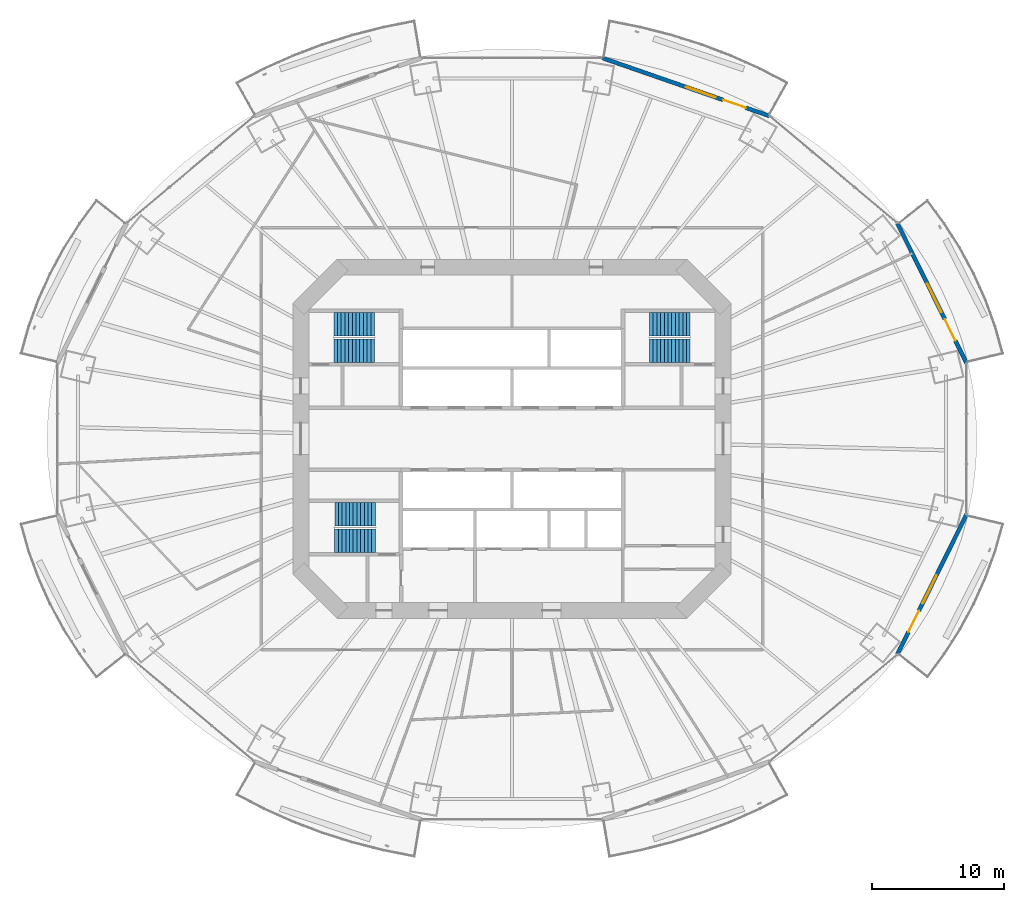
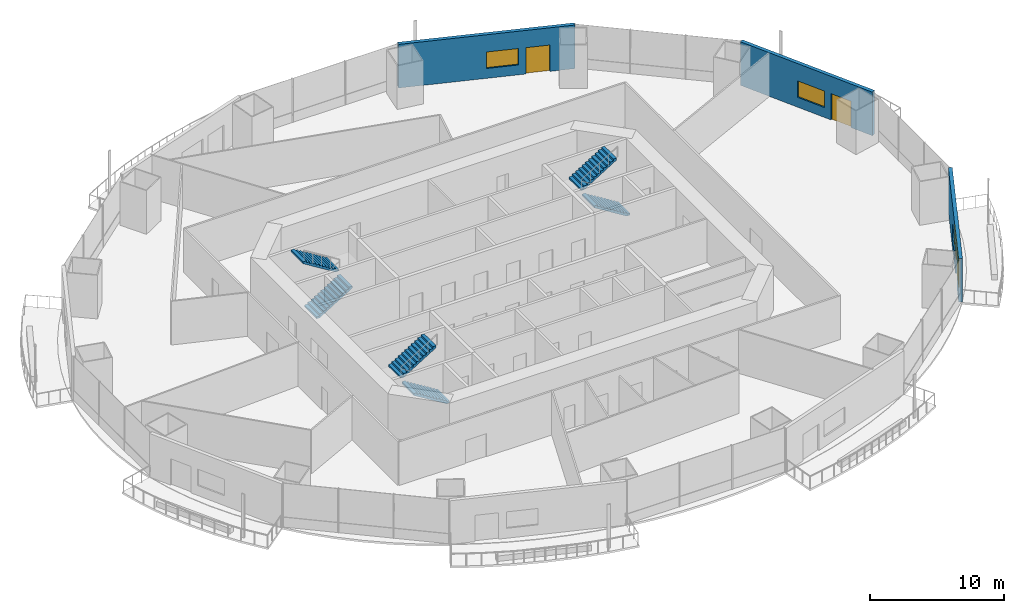
# One storey, part 16 of 22: 6 stair flights, 3 doors, 3 walls, 3 windows, 6 openings, 3 elements without a shape of their own.
"""IFC4 building model written with IfcOpenShell, lengths in metres."""

from ifc_helpers import new_model, si_unit, direction, frame, frame_2d, origin, place, context, subcontext, project, spatial, polyline, rectangle, outline, extrude, material, layer, layer_set, type_object, element, fill, aggregate, save


model = new_model("IFC4")

# Units and contexts
model_context = context("Model", 3, precision=1e-05, world=origin(), true_north=direction((0.0, 1.0)))
body_context = subcontext(model_context, "Body", "Model", "MODEL_VIEW")
ifc_project = project(units=[si_unit("LENGTHUNIT", "METRE"), si_unit("AREAUNIT", "SQUARE_METRE"), si_unit("VOLUMEUNIT", "CUBIC_METRE"), si_unit("PLANEANGLEUNIT", "RADIAN"), si_unit("MASSUNIT", "GRAM", prefix="KILO")], contexts=[model_context])

# Site, building, storey
site_placement = place(None, origin())
site = spatial("IfcSite", under=ifc_project, at=site_placement, CompositionType="ELEMENT")
building_placement = place(site_placement, origin())
building = spatial("IfcBuilding", under=site, at=building_placement, Name="Marenthal Gate Tower", CompositionType="ELEMENT")
storey_placement = place(building_placement, frame((0.0, 0.0, 82.800048828125)))
storey = spatial("IfcBuildingStorey", under=building, at=storey_placement, Name="L16", CompositionType="ELEMENT", Elevation=82.800048828125)

# Wall, openings, door, window
ifc_material_1 = material(Name="Terracotta cladding on insulated concrete-block backing", Category="masonry")
ifc_layer = layer(ifc_material_1, 0.300048828125)
ifc_layer_set = layer_set([ifc_layer], Name="Terracotta facade wall 300")
wall_type = type_object("IfcWallType", Name="Terracotta facade wall 300", PredefinedType="SOLIDWALL", material=ifc_layer_set)
wall_1_placement = place(storey_placement, frame((34.436279296875, 5.7392578125, 0.0), z_axis=(0.0, 0.0, 1.0), x_axis=(-0.443180520711, 0.896432387892, 0.0)))
wall_1 = element("IfcWall", 1, at=wall_1_placement, inside=storey, type_object=wall_type, Name="Terracotta facade wall L16 bay 1", PredefinedType="SOLIDWALL", context=body_context, shape_type="SweptSolid", body=[
    extrude(rectangle(XDim=11.82958984375, YDim=0.300048828125, at=frame_2d((5.914794921875, 0.0))), origin(), (0.0, 0.0, 1.0), 3.969970703125),
])
opening_1_placement = place(wall_1_placement, frame((1.89990234375, 0.0, 0.0)))
opening_1 = element("IfcOpeningElement", 2, at=opening_1_placement, cuts=wall_1, Name="Opening BD-L16-01", PredefinedType="OPENING", context=body_context, shape_type="SweptSolid", body=[
    extrude(rectangle(XDim=1.800048828125, YDim=2.39990234375, at=frame_2d((0.89990234375, 1.199951171875))), frame((0.0, 0.16015625, 0.0), z_axis=(0.0, -1.0, 0.0), x_axis=(1.0, 0.0, 0.0)), (0.0, 0.0, 1.0), 0.320068359375),
])
opening_2_placement = place(wall_1_placement, frame((4.300048828125, 0.0, 0.89990234375)))
opening_2 = element("IfcOpeningElement", 3, at=opening_2_placement, cuts=wall_1, Name="Opening WN1-L16-01", PredefinedType="OPENING", context=body_context, shape_type="SweptSolid", body=[
    extrude(rectangle(XDim=2.39990234375, YDim=1.5, at=frame_2d((1.199951171875, 0.75))), frame((0.0, 0.16015625, 0.0), z_axis=(0.0, -1.0, 0.0), x_axis=(1.0, 0.0, 0.0)), (0.0, 0.0, 1.0), 0.320068359375),
])
ifc_material_2 = material(Name="Aluminium and glass", Category="aluminium")
door_type = type_object("IfcDoorType", Name="Balcony door 1800x2400", OperationType="DOUBLE_DOOR_SINGLE_SWING", PredefinedType="DOOR", material=ifc_material_2)
door_1_placement = place(opening_1_placement, origin())
door_1 = element("IfcDoor", 4, at=door_1_placement, inside=storey, type_object=door_type, Name="Balcony door L16 bay 1", OperationType="SINGLE_SWING_LEFT", OverallHeight=2.39990234375, OverallWidth=1.800048828125, PredefinedType="DOOR", context=body_context, shape_type="SweptSolid", body=[
    extrude(rectangle(XDim=1.800048828125, YDim=2.39990234375, at=frame_2d((0.89990234375, 1.199951171875))), frame((0.0, 0.02490234375, 0.0), z_axis=(0.0, -1.0, 0.0), x_axis=(1.0, 0.0, 0.0)), (0.0, 0.0, 1.0), 0.050048828125),
])
fill(opening_1, door_1)
ifc_material_3 = material(Name="Aluminium and glass", Category="aluminium")
window_type = type_object("IfcWindowType", Name="Window 2400x1500", PartitioningType="TRIPLE_PANEL_VERTICAL", PredefinedType="WINDOW", material=ifc_material_3)
window_1_placement = place(opening_2_placement, origin())
window_1 = element("IfcWindow", 5, at=window_1_placement, inside=storey, type_object=window_type, Name="Window L16 bay 1", OverallHeight=1.5, OverallWidth=2.39990234375, PartitioningType="SINGLE_PANEL", PredefinedType="WINDOW", context=body_context, shape_type="SweptSolid", body=[
    extrude(rectangle(XDim=2.39990234375, YDim=1.5, at=frame_2d((1.199951171875, 0.75))), frame((0.0, 0.030029296875, 0.0), z_axis=(0.0, -1.0, 0.0), x_axis=(1.0, 0.0, 0.0)), (0.0, 0.0, 1.0), 0.06005859375),
])
fill(opening_2, window_1)

wall_2_placement = place(storey_placement, frame((19.506591796875, 24.460205078125, 0.0), z_axis=(0.0, 0.0, 1.0), x_axis=(-0.944722748464, 0.327870292241, 0.0)))
wall_2 = element("IfcWall", 6, at=wall_2_placement, inside=storey, type_object=wall_type, Name="Terracotta facade wall L16 bay 3", PredefinedType="SOLIDWALL", context=body_context, shape_type="SweptSolid", body=[
    extrude(rectangle(XDim=13.397216796875, YDim=0.300048828125, at=frame_2d((6.69873046875, 0.0))), origin(), (0.0, 0.0, 1.0), 3.969970703125),
])
opening_3_placement = place(wall_2_placement, frame((1.89990234375, 0.0, 0.0)))
opening_3 = element("IfcOpeningElement", 7, at=opening_3_placement, cuts=wall_2, Name="Opening BD-L16-03", PredefinedType="OPENING", context=body_context, shape_type="SweptSolid", body=[
    extrude(rectangle(XDim=1.800048828125, YDim=2.39990234375, at=frame_2d((0.89990234375, 1.199951171875))), frame((0.0, 0.16015625, 0.0), z_axis=(0.0, -1.0, 0.0), x_axis=(1.0, 0.0, 0.0)), (0.0, 0.0, 1.0), 0.320068359375),
])
opening_4_placement = place(wall_2_placement, frame((4.300048828125, 0.0, 0.89990234375)))
opening_4 = element("IfcOpeningElement", 8, at=opening_4_placement, cuts=wall_2, Name="Opening WN1-L16-03", PredefinedType="OPENING", context=body_context, shape_type="SweptSolid", body=[
    extrude(rectangle(XDim=2.39990234375, YDim=1.5, at=frame_2d((1.199951171875, 0.75))), frame((0.0, 0.16015625, 0.0), z_axis=(0.0, -1.0, 0.0), x_axis=(1.0, 0.0, 0.0)), (0.0, 0.0, 1.0), 0.320068359375),
])
door_2_placement = place(opening_3_placement, origin())
door_2 = element("IfcDoor", 9, at=door_2_placement, inside=storey, type_object=door_type, Name="Balcony door L16 bay 3", OperationType="SINGLE_SWING_LEFT", OverallHeight=2.39990234375, OverallWidth=1.800048828125, PredefinedType="DOOR", context=body_context, shape_type="SweptSolid", body=[
    extrude(rectangle(XDim=1.800048828125, YDim=2.39990234375, at=frame_2d((0.89990234375, 1.199951171875))), frame((0.0, 0.02490234375, 0.0), z_axis=(0.0, -1.0, 0.0), x_axis=(1.0, 0.0, 0.0)), (0.0, 0.0, 1.0), 0.050048828125),
])
fill(opening_3, door_2)
window_2_placement = place(opening_4_placement, origin())
window_2 = element("IfcWindow", 10, at=window_2_placement, inside=storey, type_object=window_type, Name="Window L16 bay 3", OverallHeight=1.5, OverallWidth=2.39990234375, PartitioningType="SINGLE_PANEL", PredefinedType="WINDOW", context=body_context, shape_type="SweptSolid", body=[
    extrude(rectangle(XDim=2.39990234375, YDim=1.5, at=frame_2d((1.199951171875, 0.75))), frame((0.0, 0.030029296875, 0.0), z_axis=(0.0, -1.0, 0.0), x_axis=(1.0, 0.0, 0.0)), (0.0, 0.0, 1.0), 0.06005859375),
])
fill(opening_4, window_2)

wall_3_placement = place(storey_placement, frame((29.193603515625, -16.34375, 0.0), z_axis=(0.0, 0.0, 1.0), x_axis=(0.443197104999, 0.896424188719, 0.0)))
wall_3 = element("IfcWall", 11, at=wall_3_placement, inside=storey, type_object=wall_type, Name="Terracotta facade wall L16 bay 15", PredefinedType="SOLIDWALL", context=body_context, shape_type="SweptSolid", body=[
    extrude(rectangle(XDim=11.829833984375, YDim=0.300048828125, at=frame_2d((5.9150390625, 0.0))), origin(), (0.0, 0.0, 1.0), 3.969970703125),
])
opening_5_placement = place(wall_3_placement, frame((1.89990234375, 0.0, 0.0)))
opening_5 = element("IfcOpeningElement", 12, at=opening_5_placement, cuts=wall_3, Name="Opening BD-L16-15", PredefinedType="OPENING", context=body_context, shape_type="SweptSolid", body=[
    extrude(rectangle(XDim=1.800048828125, YDim=2.39990234375, at=frame_2d((0.89990234375, 1.199951171875))), frame((0.0, 0.16015625, 0.0), z_axis=(0.0, -1.0, 0.0), x_axis=(1.0, 0.0, 0.0)), (0.0, 0.0, 1.0), 0.320068359375),
])
opening_6_placement = place(wall_3_placement, frame((4.300048828125, 0.0, 0.89990234375)))
opening_6 = element("IfcOpeningElement", 13, at=opening_6_placement, cuts=wall_3, Name="Opening WN1-L16-15", PredefinedType="OPENING", context=body_context, shape_type="SweptSolid", body=[
    extrude(rectangle(XDim=2.39990234375, YDim=1.5, at=frame_2d((1.199951171875, 0.75))), frame((0.0, 0.16015625, 0.0), z_axis=(0.0, -1.0, 0.0), x_axis=(1.0, 0.0, 0.0)), (0.0, 0.0, 1.0), 0.320068359375),
])
door_3_placement = place(opening_5_placement, origin())
door_3 = element("IfcDoor", 14, at=door_3_placement, inside=storey, type_object=door_type, Name="Balcony door L16 bay 15", OperationType="SINGLE_SWING_LEFT", OverallHeight=2.39990234375, OverallWidth=1.800048828125, PredefinedType="DOOR", context=body_context, shape_type="SweptSolid", body=[
    extrude(rectangle(XDim=1.800048828125, YDim=2.39990234375, at=frame_2d((0.89990234375, 1.199951171875))), frame((0.0, 0.02490234375, 0.0), z_axis=(0.0, -1.0, 0.0), x_axis=(1.0, 0.0, 0.0)), (0.0, 0.0, 1.0), 0.050048828125),
])
fill(opening_5, door_3)
window_3_placement = place(opening_6_placement, origin())
window_3 = element("IfcWindow", 15, at=window_3_placement, inside=storey, type_object=window_type, Name="Window L16 bay 15", OverallHeight=1.5, OverallWidth=2.39990234375, PartitioningType="SINGLE_PANEL", PredefinedType="WINDOW", context=body_context, shape_type="SweptSolid", body=[
    extrude(rectangle(XDim=2.39990234375, YDim=1.5, at=frame_2d((1.199951171875, 0.75))), frame((0.0, 0.030029296875, 0.0), z_axis=(0.0, -1.0, 0.0), x_axis=(1.0, 0.0, 0.0)), (0.0, 0.0, 1.0), 0.06005859375),
])
fill(opening_6, window_3)

# Stair, stair flights
ifc_material_4 = material(Name="Concrete 40 MPa", Category="concrete")
stair_type = type_object("IfcStairType", Name="Exit stair 1800", PredefinedType="HALF_TURN_STAIR", material=ifc_material_4)
stair_1_placement = place(storey_placement, origin())
stair_1 = element("IfcStair", 16, at=stair_1_placement, inside=storey, type_object=stair_type, Name="Stair ST1", PredefinedType="HALF_TURN_STAIR")
ifc_material_5 = material(Name="Concrete 40 MPa", Category="concrete")
stair_flight_type = type_object("IfcStairFlightType", Name="Stair flight 1800", PredefinedType="STRAIGHT", material=ifc_material_5)
stair_flight_1_placement = place(storey_placement, frame((-13.5, 6.675048828125, 0.0), z_axis=(0.0, 0.0, 1.0), x_axis=(1.0, 0.0, 0.0)))
stair_flight_1 = element("IfcStairFlight", 17, at=stair_flight_1_placement, type_object=stair_flight_type, Name="ST1 flight 1", NumberOfRisers=12, NumberOfTreads=11, PredefinedType="STRAIGHT", RiserHeight=0.172916667, TreadLength=0.28, context=body_context, shape_type="SweptSolid", body=[
    extrude(outline(polyline([(0.0, 0.0), (0.0, 0.1728515625), (0.280029296875, 0.1728515625), (0.280029296875, 0.345947265625), (0.56005859375, 0.345947265625), (0.56005859375, 0.518798828125), (0.840087890625, 0.518798828125), (0.840087890625, 0.691650390625), (1.1201171875, 0.691650390625), (1.1201171875, 0.864501953125), (1.39990234375, 0.864501953125), (1.39990234375, 1.03759765625), (1.679931640625, 1.03759765625), (1.679931640625, 1.21044921875), (1.9599609375, 1.21044921875), (1.9599609375, 1.38330078125), (2.239990234375, 1.38330078125), (2.239990234375, 1.55615234375), (2.52001953125, 1.55615234375), (2.52001953125, 1.729248046875), (2.800048828125, 1.729248046875), (2.800048828125, 1.902099609375), (3.080078125, 1.902099609375), (3.080078125, 2.074951171875), (3.080078125, 1.725830078125), (0.285400390625, 0.0), (0.0, 0.0)])), frame((0.0, 0.89990234375, 0.0), z_axis=(0.0, -1.0, 0.0), x_axis=(1.0, 0.0, 0.0)), (0.0, 0.0, 1.0), 1.800048828125),
])
stair_flight_2_placement = place(storey_placement, frame((-10.419921875, 8.675048828125, 2.074951171875), z_axis=(0.0, 0.0, 1.0), x_axis=(-1.0, 0.0, 0.0)))
stair_flight_2 = element("IfcStairFlight", 18, at=stair_flight_2_placement, type_object=stair_flight_type, Name="ST1 flight 2", NumberOfRisers=12, NumberOfTreads=11, PredefinedType="STRAIGHT", RiserHeight=0.172916667, TreadLength=0.28, context=body_context, shape_type="SweptSolid", body=[
    extrude(outline(polyline([(0.0, 0.0), (0.0, 0.1728515625), (0.280029296875, 0.1728515625), (0.280029296875, 0.345947265625), (0.56005859375, 0.345947265625), (0.56005859375, 0.518798828125), (0.840087890625, 0.518798828125), (0.840087890625, 0.691650390625), (1.1201171875, 0.691650390625), (1.1201171875, 0.864501953125), (1.39990234375, 0.864501953125), (1.39990234375, 1.03759765625), (1.679931640625, 1.03759765625), (1.679931640625, 1.21044921875), (1.9599609375, 1.21044921875), (1.9599609375, 1.38330078125), (2.239990234375, 1.38330078125), (2.239990234375, 1.55615234375), (2.52001953125, 1.55615234375), (2.52001953125, 1.729248046875), (2.800048828125, 1.729248046875), (2.800048828125, 1.902099609375), (3.080078125, 1.902099609375), (3.080078125, 2.074951171875), (3.080078125, 1.725830078125), (0.285400390625, 0.0), (0.0, 0.0)])), frame((0.0, 0.89990234375, 0.0), z_axis=(0.0, -1.0, 0.0), x_axis=(1.0, 0.0, 0.0)), (0.0, 0.0, 1.0), 1.800048828125),
])
aggregate(stair_1, [stair_flight_1, stair_flight_2])

stair_2_placement = place(storey_placement, origin())
stair_2 = element("IfcStair", 19, at=stair_2_placement, inside=storey, type_object=stair_type, Name="Stair ST2", PredefinedType="HALF_TURN_STAIR")
stair_flight_3_placement = place(storey_placement, frame((-10.35009765625, -7.72509765625, 0.0), z_axis=(0.0, 0.0, 1.0), x_axis=(-1.0, 0.0, 0.0)))
stair_flight_3 = element("IfcStairFlight", 20, at=stair_flight_3_placement, type_object=stair_flight_type, Name="ST2 flight 1", NumberOfRisers=12, NumberOfTreads=11, PredefinedType="STRAIGHT", RiserHeight=0.172916667, TreadLength=0.28, context=body_context, shape_type="SweptSolid", body=[
    extrude(outline(polyline([(0.0, 0.0), (0.0, 0.1728515625), (0.280029296875, 0.1728515625), (0.280029296875, 0.345947265625), (0.56005859375, 0.345947265625), (0.56005859375, 0.518798828125), (0.840087890625, 0.518798828125), (0.840087890625, 0.691650390625), (1.1201171875, 0.691650390625), (1.1201171875, 0.864501953125), (1.39990234375, 0.864501953125), (1.39990234375, 1.03759765625), (1.679931640625, 1.03759765625), (1.679931640625, 1.21044921875), (1.9599609375, 1.21044921875), (1.9599609375, 1.38330078125), (2.239990234375, 1.38330078125), (2.239990234375, 1.55615234375), (2.52001953125, 1.55615234375), (2.52001953125, 1.729248046875), (2.800048828125, 1.729248046875), (2.800048828125, 1.902099609375), (3.080078125, 1.902099609375), (3.080078125, 2.074951171875), (3.080078125, 1.725830078125), (0.285400390625, 0.0), (0.0, 0.0)])), frame((0.0, 0.89990234375, 0.0), z_axis=(0.0, -1.0, 0.0), x_axis=(1.0, 0.0, 0.0)), (0.0, 0.0, 1.0), 1.800048828125),
])
stair_flight_4_placement = place(storey_placement, frame((-13.429931640625, -5.72509765625, 2.074951171875), z_axis=(0.0, 0.0, 1.0), x_axis=(1.0, 0.0, 0.0)))
stair_flight_4 = element("IfcStairFlight", 21, at=stair_flight_4_placement, type_object=stair_flight_type, Name="ST2 flight 2", NumberOfRisers=12, NumberOfTreads=11, PredefinedType="STRAIGHT", RiserHeight=0.172916667, TreadLength=0.28, context=body_context, shape_type="SweptSolid", body=[
    extrude(outline(polyline([(0.0, 0.0), (0.0, 0.1728515625), (0.280029296875, 0.1728515625), (0.280029296875, 0.345947265625), (0.56005859375, 0.345947265625), (0.56005859375, 0.518798828125), (0.840087890625, 0.518798828125), (0.840087890625, 0.691650390625), (1.1201171875, 0.691650390625), (1.1201171875, 0.864501953125), (1.39990234375, 0.864501953125), (1.39990234375, 1.03759765625), (1.679931640625, 1.03759765625), (1.679931640625, 1.21044921875), (1.9599609375, 1.21044921875), (1.9599609375, 1.38330078125), (2.239990234375, 1.38330078125), (2.239990234375, 1.55615234375), (2.52001953125, 1.55615234375), (2.52001953125, 1.729248046875), (2.800048828125, 1.729248046875), (2.800048828125, 1.902099609375), (3.080078125, 1.902099609375), (3.080078125, 2.074951171875), (3.080078125, 1.725830078125), (0.285400390625, 0.0), (0.0, 0.0)])), frame((0.0, 0.89990234375, 0.0), z_axis=(0.0, -1.0, 0.0), x_axis=(1.0, 0.0, 0.0)), (0.0, 0.0, 1.0), 1.800048828125),
])
aggregate(stair_2, [stair_flight_3, stair_flight_4])

stair_3_placement = place(storey_placement, origin())
stair_3 = element("IfcStair", 22, at=stair_3_placement, inside=storey, type_object=stair_type, Name="Stair ST3", PredefinedType="HALF_TURN_STAIR")
stair_flight_5_placement = place(storey_placement, frame((13.5, 6.675048828125, 0.0), z_axis=(0.0, 0.0, 1.0), x_axis=(-1.0, 0.0, 0.0)))
stair_flight_5 = element("IfcStairFlight", 23, at=stair_flight_5_placement, type_object=stair_flight_type, Name="ST3 flight 1", NumberOfRisers=12, NumberOfTreads=11, PredefinedType="STRAIGHT", RiserHeight=0.172916667, TreadLength=0.28, context=body_context, shape_type="SweptSolid", body=[
    extrude(outline(polyline([(0.0, 0.0), (0.0, 0.1728515625), (0.280029296875, 0.1728515625), (0.280029296875, 0.345947265625), (0.56005859375, 0.345947265625), (0.56005859375, 0.518798828125), (0.840087890625, 0.518798828125), (0.840087890625, 0.691650390625), (1.1201171875, 0.691650390625), (1.1201171875, 0.864501953125), (1.39990234375, 0.864501953125), (1.39990234375, 1.03759765625), (1.679931640625, 1.03759765625), (1.679931640625, 1.21044921875), (1.9599609375, 1.21044921875), (1.9599609375, 1.38330078125), (2.239990234375, 1.38330078125), (2.239990234375, 1.55615234375), (2.52001953125, 1.55615234375), (2.52001953125, 1.729248046875), (2.800048828125, 1.729248046875), (2.800048828125, 1.902099609375), (3.080078125, 1.902099609375), (3.080078125, 2.074951171875), (3.080078125, 1.725830078125), (0.285400390625, 0.0), (0.0, 0.0)])), frame((0.0, 0.89990234375, 0.0), z_axis=(0.0, -1.0, 0.0), x_axis=(1.0, 0.0, 0.0)), (0.0, 0.0, 1.0), 1.800048828125),
])
stair_flight_6_placement = place(storey_placement, frame((10.419921875, 8.675048828125, 2.074951171875), z_axis=(0.0, 0.0, 1.0), x_axis=(1.0, 0.0, 0.0)))
stair_flight_6 = element("IfcStairFlight", 24, at=stair_flight_6_placement, type_object=stair_flight_type, Name="ST3 flight 2", NumberOfRisers=12, NumberOfTreads=11, PredefinedType="STRAIGHT", RiserHeight=0.172916667, TreadLength=0.28, context=body_context, shape_type="SweptSolid", body=[
    extrude(outline(polyline([(0.0, 0.0), (0.0, 0.1728515625), (0.280029296875, 0.1728515625), (0.280029296875, 0.345947265625), (0.56005859375, 0.345947265625), (0.56005859375, 0.518798828125), (0.840087890625, 0.518798828125), (0.840087890625, 0.691650390625), (1.1201171875, 0.691650390625), (1.1201171875, 0.864501953125), (1.39990234375, 0.864501953125), (1.39990234375, 1.03759765625), (1.679931640625, 1.03759765625), (1.679931640625, 1.21044921875), (1.9599609375, 1.21044921875), (1.9599609375, 1.38330078125), (2.239990234375, 1.38330078125), (2.239990234375, 1.55615234375), (2.52001953125, 1.55615234375), (2.52001953125, 1.729248046875), (2.800048828125, 1.729248046875), (2.800048828125, 1.902099609375), (3.080078125, 1.902099609375), (3.080078125, 2.074951171875), (3.080078125, 1.725830078125), (0.285400390625, 0.0), (0.0, 0.0)])), frame((0.0, 0.89990234375, 0.0), z_axis=(0.0, -1.0, 0.0), x_axis=(1.0, 0.0, 0.0)), (0.0, 0.0, 1.0), 1.800048828125),
])
aggregate(stair_3, [stair_flight_5, stair_flight_6])

save(model, "model.ifc")
